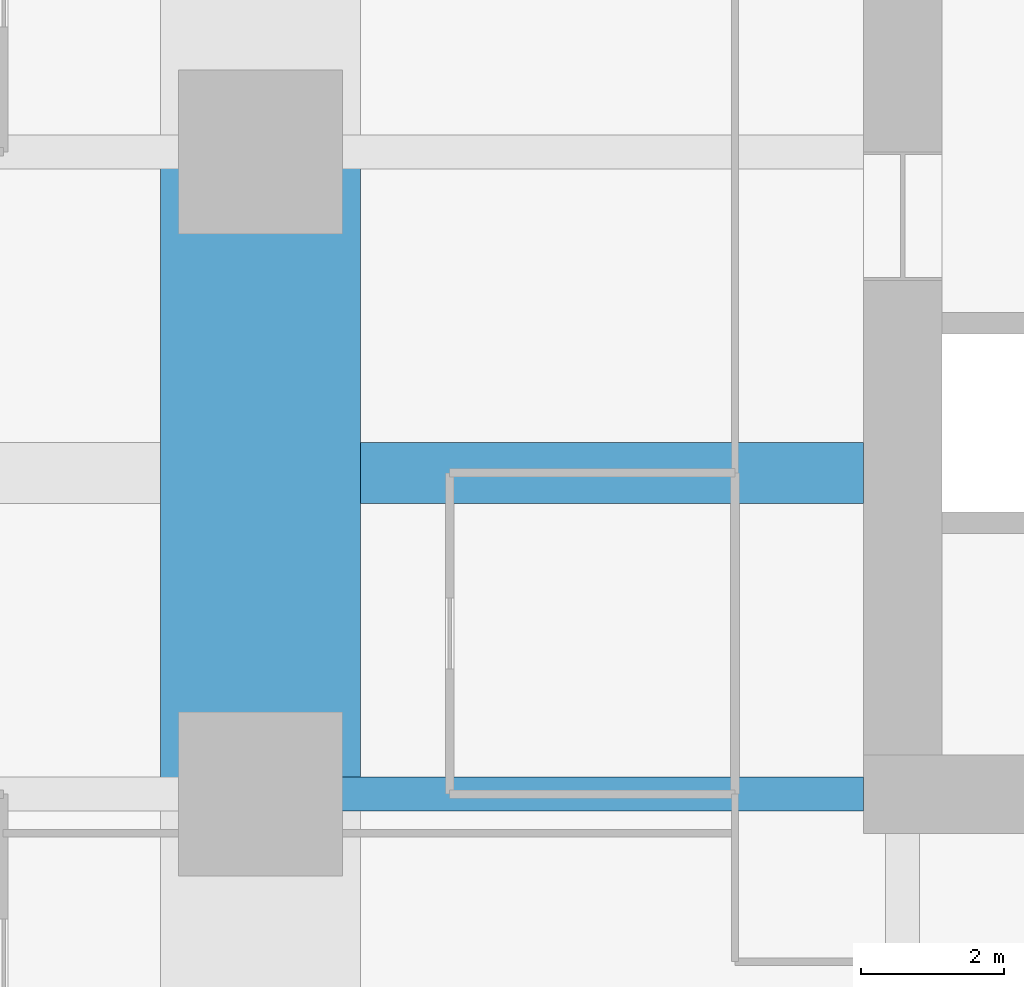
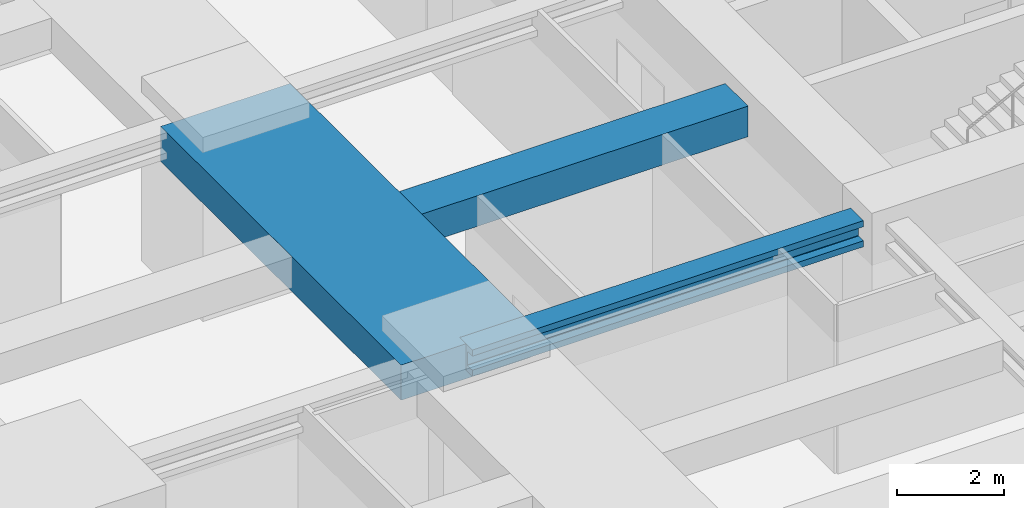
# One storey, part 9 of 42: 3 beams.
"""IFC4 building model written with IfcOpenShell, lengths in metres."""

from ifc_helpers import new_model, si_unit, direction, frame, origin, origin_2d, place, context, subcontext, project, spatial, rectangle, i_section, extrude, material, material_profile, profile_set, type_object, element, save


model = new_model("IFC4")

# Units and contexts
model_context = context("Model", 3, precision=1e-05, world=origin(), true_north=direction((0.0, 1.0)))
body_context = subcontext(model_context, "Body", "Model", "MODEL_VIEW")
ifc_project = project(units=[si_unit("LENGTHUNIT", "METRE"), si_unit("AREAUNIT", "SQUARE_METRE"), si_unit("VOLUMEUNIT", "CUBIC_METRE"), si_unit("PLANEANGLEUNIT", "RADIAN"), si_unit("MASSUNIT", "GRAM", prefix="KILO")], contexts=[model_context])

# Site, building, storey
site_placement = place(None, origin())
site = spatial("IfcSite", under=ifc_project, at=site_placement, CompositionType="ELEMENT")
building_placement = place(site_placement, origin())
building = spatial("IfcBuilding", under=site, at=building_placement, Name="Zorevar Civic Tower", CompositionType="ELEMENT")
storey_placement = place(building_placement, frame((0.0, 0.0, 75.800048828125)))
storey = spatial("IfcBuildingStorey", under=building, at=storey_placement, Name="L18", CompositionType="ELEMENT", Elevation=75.800048828125)

# Beams
ifc_material_1 = material(Name="Concrete C50/60", Category="concrete")
ifc_material_profile_1 = material_profile(ifc_material_1, rectangle(XDim=2.800048828125, YDim=0.800048828125, at=origin_2d()), Name="RC 2800x800")
ifc_profile_set_1 = profile_set([ifc_material_profile_1], Name="Concrete C50/60")
beam_type_1 = type_object("IfcBeamType", Name="Beam RC 2800x800", PredefinedType="BEAM", material=ifc_profile_set_1)
beam_1_placement = place(storey_placement, frame((9.0, 18.0, 3.449951171875), z_axis=(0.0, 1.0, 0.0), x_axis=(-1.0, 0.0, 0.0)))
element("IfcBeam", 1, at=beam_1_placement, inside=storey, type_object=beam_type_1, Name="Girder L19", PredefinedType="BEAM", context=body_context, shape_type="SweptSolid", body=[
    extrude(rectangle(XDim=2.800048828125, YDim=0.800048828125, at=origin_2d()), origin(), (0.0, 0.0, 1.0), 9.0),
])
ifc_material_2 = material(Name="Concrete C50/60", Category="concrete")
ifc_material_profile_2 = material_profile(ifc_material_2, rectangle(XDim=0.85009765625, YDim=0.699951171875, at=origin_2d()), Name="RC 850x700")
ifc_profile_set_2 = profile_set([ifc_material_profile_2], Name="Concrete C50/60")
beam_type_2 = type_object("IfcBeamType", Name="Beam RC 850x700", PredefinedType="BEAM", material=ifc_profile_set_2)
beam_2_placement = place(storey_placement, frame((10.39990234375, 22.5, 3.5), z_axis=(1.0, 0.0, 0.0), x_axis=(0.0, 1.0, 0.0)))
element("IfcBeam", 2, at=beam_2_placement, inside=storey, type_object=beam_type_2, Name="Secondary beam L19", PredefinedType="BEAM", context=body_context, shape_type="SweptSolid", body=[
    extrude(rectangle(XDim=0.85009765625, YDim=0.699951171875, at=origin_2d()), origin(), (0.0, 0.0, 1.0), 7.050048828125),
])
ifc_material_3 = material(Name="Steel S460M (HISTAR 460)", Category="steel")
ifc_material_profile_3 = material_profile(ifc_material_3, i_section(OverallWidth=0.47607421875, OverallDepth=0.60009765625, WebThickness=0.10009765625, FlangeThickness=0.139892578125, FilletRadius=0.014892578125, at=origin_2d()), Name="HD 400x1299")
ifc_profile_set_3 = profile_set([ifc_material_profile_3], Name="Steel S460M (HISTAR 460)")
beam_type_3 = type_object("IfcBeamType", Name="Outrigger chord HD 400x1299", PredefinedType="BEAM", material=ifc_profile_set_3)
beam_3_placement = place(storey_placement, frame((9.0, 18.0, 3.550048828125), z_axis=(1.0, 0.0, 0.0), x_axis=(0.0, 1.0, 0.0)))
element("IfcBeam", 3, at=beam_3_placement, inside=storey, type_object=beam_type_3, Name="Outrigger chord L19", PredefinedType="BEAM", context=body_context, shape_type="SweptSolid", body=[
    extrude(i_section(OverallWidth=0.47607421875, OverallDepth=0.60009765625, WebThickness=0.10009765625, FlangeThickness=0.139892578125, FilletRadius=0.014892578125, at=origin_2d()), origin(), (0.0, 0.0, 1.0), 8.449951171875),
])

save(model, "model.ifc")
